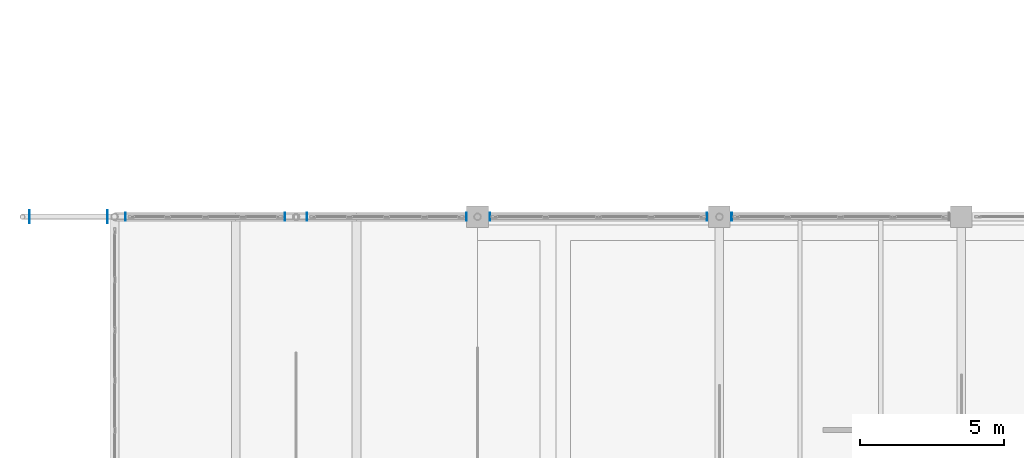
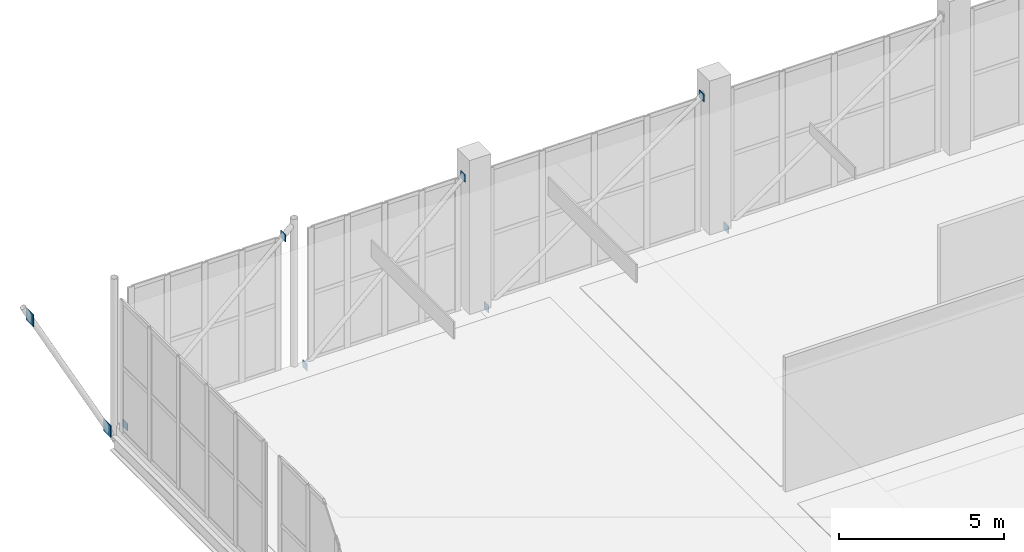
# One storey, part 36 of 49: 9 plates.
"""IFC4 building model written with IfcOpenShell, lengths in metres."""

from ifc_helpers import new_model, si_unit, direction, frame, origin, origin_2d, place, context, subcontext, project, spatial, rectangle, extrude, material, layer, layer_set, type_object, element, save


model = new_model("IFC4")

# Units and contexts
model_context = context("Model", 3, precision=1e-05, world=origin(), true_north=direction((0.0, 1.0)))
body_context = subcontext(model_context, "Body", "Model", "MODEL_VIEW")
ifc_project = project(units=[si_unit("LENGTHUNIT", "METRE"), si_unit("AREAUNIT", "SQUARE_METRE"), si_unit("VOLUMEUNIT", "CUBIC_METRE"), si_unit("PLANEANGLEUNIT", "RADIAN"), si_unit("MASSUNIT", "GRAM", prefix="KILO")], contexts=[model_context])

# Site, building, storey
site_placement = place(None, origin())
site = spatial("IfcSite", under=ifc_project, at=site_placement, CompositionType="ELEMENT")
building_placement = place(site_placement, origin())
building = spatial("IfcBuilding", under=site, at=building_placement, Name="Zulmaris Art Gallery", CompositionType="ELEMENT")
storey_placement = place(building_placement, frame((0.0, 0.0, 20.699951171875)))
storey = spatial("IfcBuildingStorey", under=building, at=storey_placement, Name="L04", CompositionType="ELEMENT", Elevation=20.699951171875)

# Plates
ifc_material = material(Name="Steel S355J2", Category="steel")
ifc_layer_1 = layer(ifc_material, 0.02001953125)
ifc_layer_set_1 = layer_set([ifc_layer_1], Name="Steel S355J2")
plate_type_1 = type_object("IfcPlateType", Name="PLT-CP01", PredefinedType="USERDEFINED", material=ifc_layer_set_1)
for number, where, z_axis, x_axis, name in (
    (1, (11.783447265625, 50.39990234375, -0.30615234375), (0.0, 0.0, 1.0), (1.0, 0.0, 0.0), "Hollow-section end cap plate 65"),
    (2, (17.31640625, 50.39990234375, 4.7587890625), (0.0, 0.0, 1.0), (1.0, 0.0, 0.0), "Hollow-section end cap plate 66"),
    (3, (18.08349609375, 50.39990234375, -0.30615234375), (0.0, 0.0, 1.0), (1.0, 0.0, 0.0), "Hollow-section end cap plate 67"),
    (4, (23.616455078125, 50.39990234375, 4.7587890625), (0.0, 0.0, 1.0), (1.0, 0.0, 0.0), "Hollow-section end cap plate 68"),
    (5, (24.4287109375, 50.39990234375, -0.36328125), (0.0, 0.0, 1.0), (1.0, 0.0, 0.0), "Hollow-section end cap plate 69"),
    (6, (31.97119140625, 50.39990234375, 4.81591796875), (0.0, 0.0, 1.0), (1.0, 0.0, 0.0), "Hollow-section end cap plate 70"),
    (7, (32.82861328125, 50.39990234375, -0.36328125), (0.0, 0.0, 1.0), (1.0, 0.0, 0.0), "Hollow-section end cap plate 71"),
):
    element("IfcPlate", number, at=place(storey_placement, frame(where, z_axis=z_axis, x_axis=x_axis)), inside=storey, type_object=plate_type_1, Name=name, ObjectType="CAP PLATE", PredefinedType="USERDEFINED", context=body_context, shape_type="SweptSolid", body=[
        extrude(rectangle(XDim=0.02001953125, YDim=0.280029296875, at=origin_2d()), origin(), (0.0, 0.0, 1.0), 0.280029296875),
    ])
ifc_layer_2 = layer(ifc_material, 0.02490234375)
ifc_layer_set_2 = layer_set([ifc_layer_2], Name="Steel S355J2")
plate_type_2 = type_object("IfcPlateType", Name="PLT-CP03", PredefinedType="USERDEFINED", material=ifc_layer_set_2)
for number, where, z_axis, x_axis, name in (
    (8, (8.44580078125, 50.39990234375, 4.771728515625), (0.0, 0.0, 1.0), (1.0, 0.0, 0.0), "Hollow-section end cap plate 63"),
    (9, (11.154296875, 50.39990234375, -0.279052734375), (0.0, 0.0, 1.0), (1.0, 0.0, 0.0), "Hollow-section end cap plate 64"),
):
    element("IfcPlate", number, at=place(storey_placement, frame(where, z_axis=z_axis, x_axis=x_axis)), inside=storey, type_object=plate_type_2, Name=name, ObjectType="CAP PLATE", PredefinedType="USERDEFINED", context=body_context, shape_type="SweptSolid", body=[
        extrude(rectangle(XDim=0.02490234375, YDim=0.43994140625, at=origin_2d()), origin(), (0.0, 0.0, 1.0), 0.43994140625),
    ])

save(model, "model.ifc")
